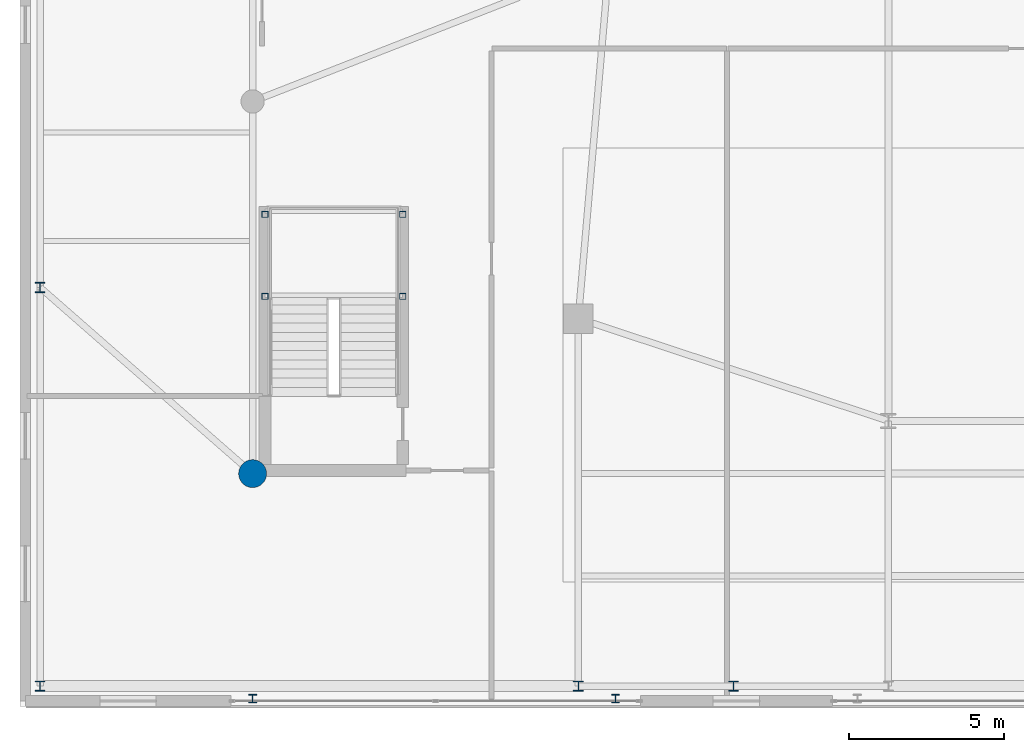
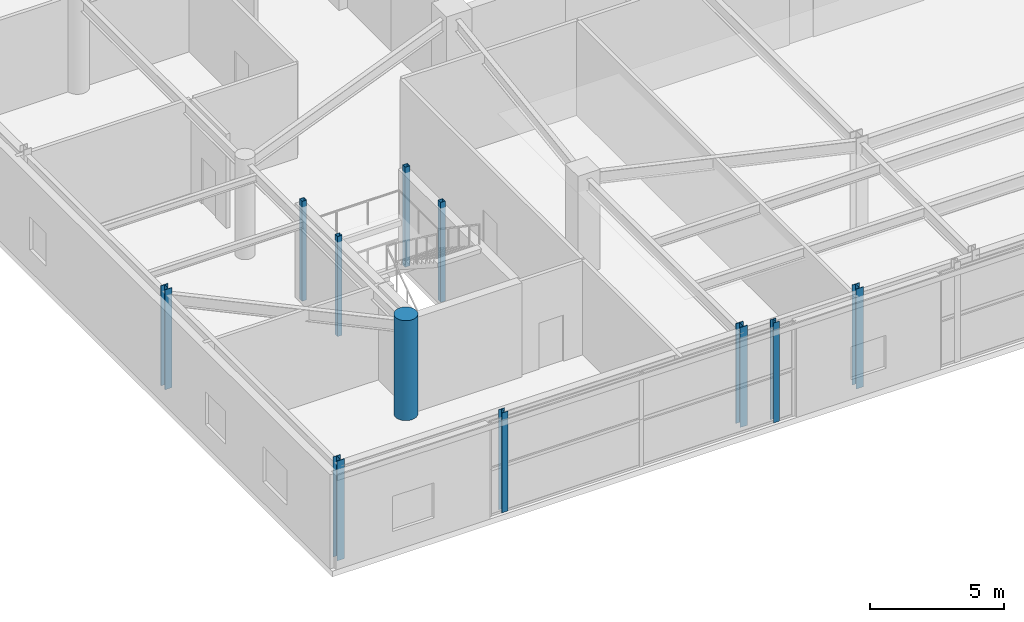
# One storey, part 1 of 26: 11 columns.
"""IFC4 building model written with IfcOpenShell, lengths in metres."""

from ifc_helpers import new_model, si_unit, direction, frame, origin, origin_2d, place, context, subcontext, project, spatial, hollow_rectangle, circle, i_section, extrude, source, transform, mapped, material, material_profile, profile_set, type_object, element, save


model = new_model("IFC4")

# Units and contexts
model_context = context("Model", 3, precision=1e-05, world=origin(), true_north=direction((0.0, 1.0)))
body_context = subcontext(model_context, "Body", "Model", "MODEL_VIEW")
ifc_project = project(units=[si_unit("LENGTHUNIT", "METRE"), si_unit("AREAUNIT", "SQUARE_METRE"), si_unit("VOLUMEUNIT", "CUBIC_METRE"), si_unit("PLANEANGLEUNIT", "RADIAN"), si_unit("MASSUNIT", "GRAM", prefix="KILO")], contexts=[model_context])

# Site, building, storey
site_placement = place(None, origin())
site = spatial("IfcSite", under=ifc_project, at=site_placement, CompositionType="ELEMENT")
building_placement = place(site_placement, origin())
building = spatial("IfcBuilding", under=site, at=building_placement, Name="Taldren Reach Tower", CompositionType="ELEMENT")
storey_placement = place(building_placement, frame((0.0, 0.0, 8.39990234375)))
storey = spatial("IfcBuildingStorey", under=building, at=storey_placement, Name="L02", CompositionType="ELEMENT", Elevation=8.39990234375)

# Columns
ifc_material_1 = material(Name="Concrete S80 (80 MPa)", Category="concrete")
ifc_material_profile_1 = material_profile(ifc_material_1, circle(Radius=0.449951171875, at=origin_2d()), Name="RC-900D")
ifc_profile_set_1 = profile_set([ifc_material_profile_1], Name="Concrete S80 (80 MPa)")
column_type_1 = type_object("IfcColumnType", Name="COL-RCD900", PredefinedType="COLUMN", material=ifc_profile_set_1)
shared_shape_1 = source(origin(), body_context, "Body", "SweptSolid", [
    extrude(circle(Radius=0.449951171875, at=origin_2d()), origin(), (0.0, 0.0, 1.0), 4.550048828125),
])
column_placement = place(storey_placement, frame((7.5, 7.5, 0.0), z_axis=(0.0, 0.0, 1.0), x_axis=(1.0, 0.0, 0.0)))
element("IfcColumn", 1, at=column_placement, inside=storey, type_object=column_type_1, Name="Podium structural column PG-1 L02", PredefinedType="COLUMN", context=body_context, shape_type="MappedRepresentation", body=[
    mapped(shared_shape_1, transform((0.0, 0.0, 0.0), scale=1.0)),
])
ifc_material_2 = material(Name="Steel Gr 350 (350PLUS)", Category="steel")
ifc_material_profile_2 = material_profile(ifc_material_2, i_section(OverallWidth=0.31103515625, OverallDepth=0.326904296875, WebThickness=0.015625, FlangeThickness=0.02490234375, at=origin_2d()), Name="310UC158")
ifc_profile_set_2 = profile_set([ifc_material_profile_2], Name="Steel Gr 350 (350PLUS)")
column_type_2 = type_object("IfcColumnType", Name="COL-UC310A", PredefinedType="COLUMN", material=ifc_profile_set_2)
shared_shape_2 = source(origin(), body_context, "Body", "SweptSolid", [
    extrude(i_section(OverallWidth=0.31103515625, OverallDepth=0.326904296875, WebThickness=0.015625, FlangeThickness=0.02490234375, at=origin_2d()), origin(), (0.0, 0.0, 1.0), 4.550048828125),
])
for number, where, z_axis, x_axis, name in (
    (2, (0.64990234375, 0.64990234375, 0.0), (0.0, 0.0, 1.0), (1.0, 0.0, 0.0), "Podium structural column PP-W1 L02"),
    (3, (0.64990234375, 13.5, 0.0), (0.0, 0.0, 1.0), (1.0, 0.0, 0.0), "Podium structural column PP-W2 L02"),
    (4, (18.0, 0.64990234375, 0.0), (0.0, 0.0, 1.0), (1.0, 0.0, 0.0), "Podium structural column PP-S1 L02"),
    (5, (23.0, 0.64990234375, 0.0), (0.0, 0.0, 1.0), (1.0, 0.0, 0.0), "Podium structural column PP-S2 L02"),
):
    element("IfcColumn", number, at=place(storey_placement, frame(where, z_axis=z_axis, x_axis=x_axis)), inside=storey, type_object=column_type_2, Name=name, PredefinedType="COLUMN", context=body_context, shape_type="MappedRepresentation", body=[
        mapped(shared_shape_2, transform((0.0, 0.0, 0.0), scale=1.0)),
    ])
ifc_material_3 = material(Name="Steel Gr 350 (C350L0)", Category="steel")
ifc_material_profile_3 = material_profile(ifc_material_3, hollow_rectangle(XDim=0.199951171875, YDim=0.199951171875, WallThickness=0.009033203125, at=origin_2d()), Name="200x200x9.0SHS")
ifc_profile_set_3 = profile_set([ifc_material_profile_3], Name="Steel Gr 350 (C350L0)")
column_type_3 = type_object("IfcColumnType", Name="COL-SHS200", PredefinedType="COLUMN", material=ifc_profile_set_3)
shared_shape_3 = source(origin(), body_context, "Body", "SweptSolid", [
    extrude(hollow_rectangle(XDim=0.199951171875, YDim=0.199951171875, WallThickness=0.009033203125, at=origin_2d()), origin(), (0.0, 0.0, 1.0), 4.550048828125),
])
for number, where, z_axis, x_axis, name in (
    (6, (7.89990234375, 13.215087890625, 0.0), (0.0, 0.0, 1.0), (1.0, 0.0, 0.0), "Podium stair ST3 structural post 1 L02"),
    (7, (12.340087890625, 13.215087890625, 0.0), (0.0, 0.0, 1.0), (1.0, 0.0, 0.0), "Podium stair ST3 structural post 2 L02"),
    (8, (7.89990234375, 15.860107421875, 0.0), (0.0, 0.0, 1.0), (1.0, 0.0, 0.0), "Podium stair ST3 structural post 3 L02"),
    (9, (12.340087890625, 15.860107421875, 0.0), (0.0, 0.0, 1.0), (1.0, 0.0, 0.0), "Podium stair ST3 structural post 4 L02"),
):
    element("IfcColumn", number, at=place(storey_placement, frame(where, z_axis=z_axis, x_axis=x_axis)), inside=storey, type_object=column_type_3, Name=name, PredefinedType="COLUMN", context=body_context, shape_type="MappedRepresentation", body=[
        mapped(shared_shape_3, transform((0.0, 0.0, 0.0), scale=1.0)),
    ])
ifc_material_profile_4 = material_profile(ifc_material_2, i_section(OverallWidth=0.256103515625, OverallDepth=0.260009765625, WebThickness=0.010498046875, FlangeThickness=0.017333984375, at=origin_2d()), Name="250UC89.5")
ifc_profile_set_4 = profile_set([ifc_material_profile_4], Name="Steel Gr 350 (350PLUS)")
column_type_4 = type_object("IfcColumnType", Name="PIL-UC250", PredefinedType="PILASTER", material=ifc_profile_set_4)
shared_shape_4 = source(origin(), body_context, "Body", "SweptSolid", [
    extrude(i_section(OverallWidth=0.256103515625, OverallDepth=0.260009765625, WebThickness=0.010498046875, FlangeThickness=0.017333984375, at=origin_2d()), origin(), (0.0, 0.0, 1.0), 4.550048828125),
])
for number, where, z_axis, x_axis, name in (
    (10, (7.5, 0.25, 0.0), (0.0, 0.0, 1.0), (1.0, 0.0, 0.0), "Waterfront colonnade pilaster S-7.5 L02"),
    (11, (19.199951171875, 0.25, 0.0), (0.0, 0.0, 1.0), (1.0, 0.0, 0.0), "Waterfront colonnade pilaster S-19.2 L02"),
):
    element("IfcColumn", number, at=place(storey_placement, frame(where, z_axis=z_axis, x_axis=x_axis)), inside=storey, type_object=column_type_4, Name=name, PredefinedType="PILASTER", context=body_context, shape_type="MappedRepresentation", body=[
        mapped(shared_shape_4, transform((0.0, 0.0, 0.0), scale=1.0)),
    ])

save(model, "model.ifc")
